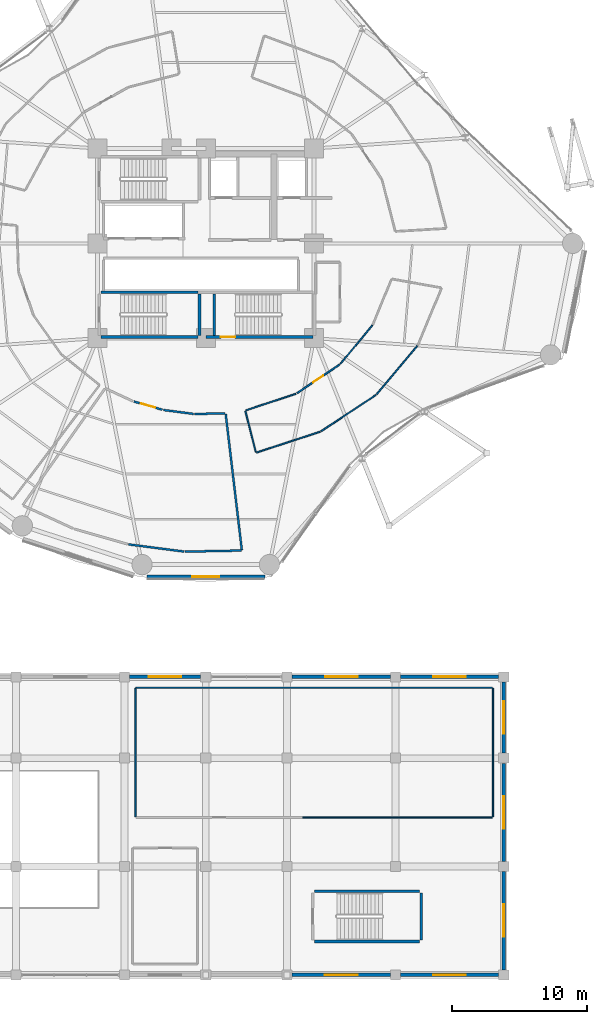
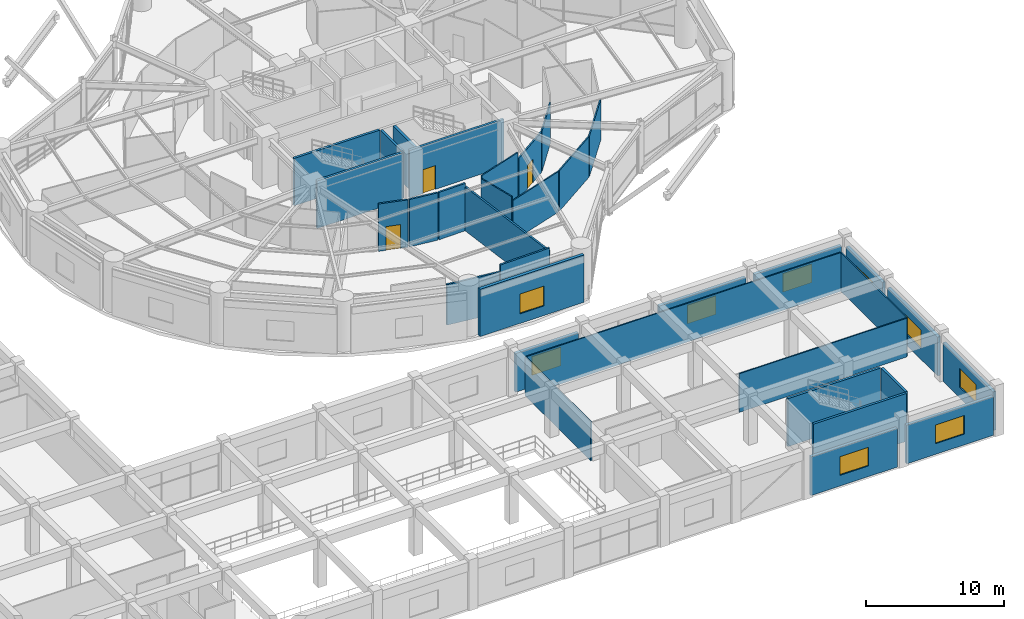
# One storey, part 44 of 55: 34 walls, 9 windows, 3 doors, 12 openings.
"""IFC4 building model written with IfcOpenShell, lengths in metres."""

from ifc_helpers import new_model, si_unit, direction, frame, frame_2d, origin, place, context, subcontext, project, spatial, rectangle, extrude, material, layer, layer_set, type_object, element, fill, save


model = new_model("IFC4")

# Units and contexts
model_context = context("Model", 3, precision=1e-05, world=origin(), true_north=direction((0.0, 1.0)))
body_context = subcontext(model_context, "Body", "Model", "MODEL_VIEW")
ifc_project = project(units=[si_unit("LENGTHUNIT", "METRE"), si_unit("AREAUNIT", "SQUARE_METRE"), si_unit("VOLUMEUNIT", "CUBIC_METRE"), si_unit("PLANEANGLEUNIT", "RADIAN"), si_unit("MASSUNIT", "GRAM", prefix="KILO")], contexts=[model_context])

# Site, building, storey
site_placement = place(None, origin())
site = spatial("IfcSite", under=ifc_project, at=site_placement, CompositionType="ELEMENT")
building_placement = place(site_placement, origin())
building = spatial("IfcBuilding", under=site, at=building_placement, Name="Kelanora Arch Commons", CompositionType="ELEMENT")
storey_placement = place(building_placement, frame((0.0, 0.0, 4.5)))
storey = spatial("IfcBuildingStorey", under=building, at=storey_placement, Name="L01", CompositionType="ELEMENT", Elevation=4.5)

# Wall, opening, door
ifc_material_1 = material(Name="Autoclaved aerated concrete blockwork with fire plaster", Category="masonry")
ifc_layer_1 = layer(ifc_material_1, 0.14990234375)
ifc_layer_set_1 = layer_set([ifc_layer_1], Name="Autoclaved aerated concrete blockwork with fire plaster")
wall_type_1 = type_object("IfcWallType", Name="W-COMP-150", PredefinedType="PARTITIONING", material=ifc_layer_set_1)
wall_1_placement = place(storey_placement, frame((68.692626953125, 46.324462890625, 0.0), z_axis=(0.0, 0.0, 1.0), x_axis=(0.960768545707, -0.277351404504, 0.0)))
wall_1 = element("IfcWall", 1, at=wall_1_placement, inside=storey, type_object=wall_type_1, Name="Tower Podium Linen and Housekeeping Store L01 Entry Partition", PredefinedType="PARTITIONING", context=body_context, shape_type="SweptSolid", body=[
    extrude(rectangle(XDim=2.181396484375, YDim=0.14990234375, at=frame_2d((1.0908203125, 0.0))), origin(), (0.0, 0.0, 1.0), 4.18994140625),
])
opening_1_placement = place(wall_1_placement, frame((0.551025390625, 0.0, 0.0)))
opening_1 = element("IfcOpeningElement", 2, at=opening_1_placement, cuts=wall_1, Name="Opening D-PLT1", PredefinedType="OPENING", context=body_context, shape_type="SweptSolid", body=[
    extrude(rectangle(XDim=1.080078125, YDim=2.10009765625, at=frame_2d((0.5400390625, 1.050048828125))), frame((0.0, 0.0849609375, 0.0), z_axis=(0.0, -1.0, 0.0), x_axis=(1.0, 0.0, 0.0)), (0.0, 0.0, 1.0), 0.169921875),
])
ifc_material_2 = material(Name="Galvanised steel plant and riser fire door", Category="steel")
door_type_1 = type_object("IfcDoorType", Name="D-PLT-110", OperationType="NOTDEFINED", PredefinedType="DOOR", material=ifc_material_2)
door_1_placement = place(opening_1_placement, origin())
door_1 = element("IfcDoor", 3, at=door_1_placement, inside=storey, type_object=door_type_1, Name="Tower Podium Linen and Housekeeping Store L01 Door", OperationType="SINGLE_SWING_RIGHT", OverallHeight=2.10009765625, OverallWidth=1.080078125, PredefinedType="DOOR", context=body_context, shape_type="SweptSolid", body=[
    extrude(rectangle(XDim=1.080078125, YDim=2.10009765625, at=frame_2d((0.5400390625, 1.050048828125))), frame((0.0, 0.02490234375, 0.0), z_axis=(0.0, -1.0, 0.0), x_axis=(1.0, 0.0, 0.0)), (0.0, 0.0, 1.0), 0.050048828125),
])
fill(opening_1, door_1)

# Walls
wall_2_placement = place(storey_placement, frame((70.8857421875, 45.69775390625, 0.0), z_axis=(0.0, 0.0, 1.0), x_axis=(0.99164598848, -0.128989276811, 0.0)))
element("IfcWall", 4, at=wall_2_placement, inside=storey, type_object=wall_type_1, Name="Tower Podium Linen and Housekeeping Store L01 Enclosure Partition 3", PredefinedType="PARTITIONING", context=body_context, shape_type="SweptSolid", body=[
    extrude(rectangle(XDim=2.2373046875, YDim=0.14990234375, at=frame_2d((1.11865234375, 0.0))), origin(), (0.0, 0.0, 1.0), 4.18994140625),
])
wall_3_placement = place(storey_placement, frame((73.18408203125, 45.40478515625, 0.0), z_axis=(0.0, 0.0, 1.0), x_axis=(0.999812026425, 0.019388445441, 0.0)))
element("IfcWall", 5, at=wall_3_placement, inside=storey, type_object=wall_type_1, Name="Tower Podium Linen and Housekeeping Store L01 Enclosure Partition 4", PredefinedType="PARTITIONING", context=body_context, shape_type="SweptSolid", body=[
    extrude(rectangle(XDim=2.241455078125, YDim=0.14990234375, at=frame_2d((1.12060546875, 0.0))), origin(), (0.0, 0.0, 1.0), 4.18994140625),
])
wall_4_placement = place(storey_placement, frame((75.4697265625, 45.4091796875, 0.0), z_axis=(0.0, 0.0, 1.0), x_axis=(0.117716479822, -0.993047244787, 0.0)))
element("IfcWall", 6, at=wall_4_placement, inside=storey, type_object=wall_type_1, Name="Tower Podium Linen and Housekeeping Store L01 Enclosure Partition 5", PredefinedType="PARTITIONING", context=body_context, shape_type="SweptSolid", body=[
    extrude(rectangle(XDim=10.11474609375, YDim=0.14990234375, at=frame_2d((5.057373046875, 0.0))), origin(), (0.0, 0.0, 1.0), 3.885009765625),
])
wall_5_placement = place(storey_placement, frame((76.625, 35.32421875, 0.0), z_axis=(0.0, 0.0, 1.0), x_axis=(-0.999812033518, -0.019388079631, 0.0)))
element("IfcWall", 7, at=wall_5_placement, inside=storey, type_object=wall_type_1, Name="Tower Podium Linen and Housekeeping Store L01 Enclosure Partition 6", PredefinedType="PARTITIONING", context=body_context, shape_type="SweptSolid", body=[
    extrude(rectangle(XDim=4.142822265625, YDim=0.14990234375, at=frame_2d((2.0712890625, 0.0))), origin(), (0.0, 0.0, 1.0), 4.18994140625),
])
wall_6_placement = place(storey_placement, frame((72.4033203125, 35.248046875, 0.0), z_axis=(0.0, 0.0, 1.0), x_axis=(-0.991723129769, 0.128394835881, 0.0)))
element("IfcWall", 8, at=wall_6_placement, inside=storey, type_object=wall_type_1, Name="Tower Podium Linen and Housekeeping Store L01 Enclosure Partition 7", PredefinedType="PARTITIONING", context=body_context, shape_type="SweptSolid", body=[
    extrude(rectangle(XDim=4.1337890625, YDim=0.14990234375, at=frame_2d((2.06689453125, 0.0))), origin(), (0.0, 0.0, 1.0), 3.5849609375),
])

# Wall, opening, window
ifc_material_3 = material(Name="Precast concrete C40/50 with terracotta ceramic cladding", Category="masonry")
ifc_layer_2 = layer(ifc_material_3, 0.25)
ifc_layer_set_2 = layer_set([ifc_layer_2], Name="Precast concrete C40/50 with terracotta ceramic cladding")
wall_type_2 = type_object("IfcWallType", Name="W-EXT-MKT", PredefinedType="SOLIDWALL", material=ifc_layer_set_2)
wall_7_placement = place(storey_placement, frame((80.3798828125, 4.0, 0.0), z_axis=(0.0, 0.0, 1.0), x_axis=(1.0, 0.0, 0.0)))
wall_7 = element("IfcWall", 9, at=wall_7_placement, inside=storey, type_object=wall_type_2, Name="Market Hall Exterior Wall L01-10", PredefinedType="SOLIDWALL", context=body_context, shape_type="SweptSolid", body=[
    extrude(rectangle(XDim=7.240234375, YDim=0.25, at=frame_2d((3.6201171875, 0.0))), origin(), (0.0, 0.0, 1.0), 3.419921875),
])
opening_2_placement = place(wall_7_placement, frame((2.419921875, 0.0, 0.949951171875)))
opening_2 = element("IfcOpeningElement", 10, at=opening_2_placement, cuts=wall_7, Name="Opening WN-03", PredefinedType="OPENING", context=body_context, shape_type="SweptSolid", body=[
    extrude(rectangle(XDim=2.39990234375, YDim=1.64990234375, at=frame_2d((1.199951171875, 0.824951171875))), frame((0.0, 0.135009765625, 0.0), z_axis=(0.0, -1.0, 0.0), x_axis=(1.0, 0.0, 0.0)), (0.0, 0.0, 1.0), 0.27001953125),
])
ifc_material_4 = material(Name="Bronze-terracotta aluminium monsoon clerestory window", Category="masonry")
window_type_1 = type_object("IfcWindowType", Name="WIN-MKT-24", PartitioningType="TRIPLE_PANEL_VERTICAL", PredefinedType="WINDOW", material=ifc_material_4)
window_1_placement = place(opening_2_placement, origin())
window_1 = element("IfcWindow", 11, at=window_1_placement, inside=storey, type_object=window_type_1, Name="Market Hall Clerestory Window L01-10", OverallHeight=1.64990234375, OverallWidth=2.39990234375, PartitioningType="SINGLE_PANEL", PredefinedType="WINDOW", context=body_context, shape_type="SweptSolid", body=[
    extrude(rectangle(XDim=2.39990234375, YDim=1.64990234375, at=frame_2d((1.199951171875, 0.824951171875))), frame((0.0, 0.030029296875, 0.0), z_axis=(0.0, -1.0, 0.0), x_axis=(1.0, 0.0, 0.0)), (0.0, 0.0, 1.0), 0.06005859375),
])
fill(opening_2, window_1)

wall_8_placement = place(storey_placement, frame((88.3798828125, 4.0, 0.0), z_axis=(0.0, 0.0, 1.0), x_axis=(1.0, 0.0, 0.0)))
wall_8 = element("IfcWall", 12, at=wall_8_placement, inside=storey, type_object=wall_type_2, Name="Market Hall Exterior Wall L01-11", PredefinedType="SOLIDWALL", context=body_context, shape_type="SweptSolid", body=[
    extrude(rectangle(XDim=7.240234375, YDim=0.25, at=frame_2d((3.6201171875, 0.0))), origin(), (0.0, 0.0, 1.0), 3.419921875),
])
opening_3_placement = place(wall_8_placement, frame((2.419921875, 0.0, 0.949951171875)))
opening_3 = element("IfcOpeningElement", 13, at=opening_3_placement, cuts=wall_8, Name="Opening WN-03", PredefinedType="OPENING", context=body_context, shape_type="SweptSolid", body=[
    extrude(rectangle(XDim=2.39990234375, YDim=1.64990234375, at=frame_2d((1.199951171875, 0.824951171875))), frame((0.0, 0.135009765625, 0.0), z_axis=(0.0, -1.0, 0.0), x_axis=(1.0, 0.0, 0.0)), (0.0, 0.0, 1.0), 0.27001953125),
])
window_2_placement = place(opening_3_placement, origin())
window_2 = element("IfcWindow", 14, at=window_2_placement, inside=storey, type_object=window_type_1, Name="Market Hall Clerestory Window L01-11", OverallHeight=1.64990234375, OverallWidth=2.39990234375, PartitioningType="SINGLE_PANEL", PredefinedType="WINDOW", context=body_context, shape_type="SweptSolid", body=[
    extrude(rectangle(XDim=2.39990234375, YDim=1.64990234375, at=frame_2d((1.199951171875, 0.824951171875))), frame((0.0, 0.030029296875, 0.0), z_axis=(0.0, -1.0, 0.0), x_axis=(1.0, 0.0, 0.0)), (0.0, 0.0, 1.0), 0.06005859375),
])
fill(opening_3, window_2)

wall_9_placement = place(storey_placement, frame((96.0, 4.3798828125, 0.0), z_axis=(0.0, 0.0, 1.0), x_axis=(0.0, 1.0, 0.0)))
wall_9 = element("IfcWall", 15, at=wall_9_placement, inside=storey, type_object=wall_type_2, Name="Market Hall Exterior Wall L01-12", PredefinedType="SOLIDWALL", context=body_context, shape_type="SweptSolid", body=[
    extrude(rectangle(XDim=7.240234375, YDim=0.25, at=frame_2d((3.6201171875, 0.0))), origin(), (0.0, 0.0, 1.0), 3.419921875),
])
opening_4_placement = place(wall_9_placement, frame((2.419921875, 0.0, 0.949951171875)))
opening_4 = element("IfcOpeningElement", 16, at=opening_4_placement, cuts=wall_9, Name="Opening WN-03", PredefinedType="OPENING", context=body_context, shape_type="SweptSolid", body=[
    extrude(rectangle(XDim=2.39990234375, YDim=1.64990234375, at=frame_2d((1.199951171875, 0.824951171875))), frame((0.0, 0.135009765625, 0.0), z_axis=(0.0, -1.0, 0.0), x_axis=(1.0, 0.0, 0.0)), (0.0, 0.0, 1.0), 0.27001953125),
])
window_3_placement = place(opening_4_placement, origin())
window_3 = element("IfcWindow", 17, at=window_3_placement, inside=storey, type_object=window_type_1, Name="Market Hall Clerestory Window L01-12", OverallHeight=1.64990234375, OverallWidth=2.39990234375, PartitioningType="SINGLE_PANEL", PredefinedType="WINDOW", context=body_context, shape_type="SweptSolid", body=[
    extrude(rectangle(XDim=2.39990234375, YDim=1.64990234375, at=frame_2d((1.199951171875, 0.824951171875))), frame((0.0, 0.030029296875, 0.0), z_axis=(0.0, -1.0, 0.0), x_axis=(1.0, 0.0, 0.0)), (0.0, 0.0, 1.0), 0.06005859375),
])
fill(opening_4, window_3)

wall_10_placement = place(storey_placement, frame((96.0, 12.3798828125, 0.0), z_axis=(0.0, 0.0, 1.0), x_axis=(0.0, 1.0, 0.0)))
wall_10 = element("IfcWall", 18, at=wall_10_placement, inside=storey, type_object=wall_type_2, Name="Market Hall Exterior Wall L01-13", PredefinedType="SOLIDWALL", context=body_context, shape_type="SweptSolid", body=[
    extrude(rectangle(XDim=7.240234375, YDim=0.25, at=frame_2d((3.6201171875, 0.0))), origin(), (0.0, 0.0, 1.0), 3.419921875),
])
opening_5_placement = place(wall_10_placement, frame((2.419921875, 0.0, 0.949951171875)))
opening_5 = element("IfcOpeningElement", 19, at=opening_5_placement, cuts=wall_10, Name="Opening WN-03", PredefinedType="OPENING", context=body_context, shape_type="SweptSolid", body=[
    extrude(rectangle(XDim=2.39990234375, YDim=1.64990234375, at=frame_2d((1.199951171875, 0.824951171875))), frame((0.0, 0.135009765625, 0.0), z_axis=(0.0, -1.0, 0.0), x_axis=(1.0, 0.0, 0.0)), (0.0, 0.0, 1.0), 0.27001953125),
])
window_4_placement = place(opening_5_placement, origin())
window_4 = element("IfcWindow", 20, at=window_4_placement, inside=storey, type_object=window_type_1, Name="Market Hall Clerestory Window L01-13", OverallHeight=1.64990234375, OverallWidth=2.39990234375, PartitioningType="SINGLE_PANEL", PredefinedType="WINDOW", context=body_context, shape_type="SweptSolid", body=[
    extrude(rectangle(XDim=2.39990234375, YDim=1.64990234375, at=frame_2d((1.199951171875, 0.824951171875))), frame((0.0, 0.030029296875, 0.0), z_axis=(0.0, -1.0, 0.0), x_axis=(1.0, 0.0, 0.0)), (0.0, 0.0, 1.0), 0.06005859375),
])
fill(opening_5, window_4)

wall_11_placement = place(storey_placement, frame((96.0, 20.3798828125, 0.0), z_axis=(0.0, 0.0, 1.0), x_axis=(0.0, 1.0, 0.0)))
wall_11 = element("IfcWall", 21, at=wall_11_placement, inside=storey, type_object=wall_type_2, Name="Market Hall Exterior Wall L01-14", PredefinedType="SOLIDWALL", context=body_context, shape_type="SweptSolid", body=[
    extrude(rectangle(XDim=5.240234375, YDim=0.25, at=frame_2d((2.6201171875, 0.0))), origin(), (0.0, 0.0, 1.0), 3.419921875),
])
opening_6_placement = place(wall_11_placement, frame((1.419921875, 0.0, 0.949951171875)))
opening_6 = element("IfcOpeningElement", 22, at=opening_6_placement, cuts=wall_11, Name="Opening WN-03", PredefinedType="OPENING", context=body_context, shape_type="SweptSolid", body=[
    extrude(rectangle(XDim=2.39990234375, YDim=1.64990234375, at=frame_2d((1.199951171875, 0.824951171875))), frame((0.0, 0.135009765625, 0.0), z_axis=(0.0, -1.0, 0.0), x_axis=(1.0, 0.0, 0.0)), (0.0, 0.0, 1.0), 0.27001953125),
])
window_5_placement = place(opening_6_placement, origin())
window_5 = element("IfcWindow", 23, at=window_5_placement, inside=storey, type_object=window_type_1, Name="Market Hall Clerestory Window L01-14", OverallHeight=1.64990234375, OverallWidth=2.39990234375, PartitioningType="SINGLE_PANEL", PredefinedType="WINDOW", context=body_context, shape_type="SweptSolid", body=[
    extrude(rectangle(XDim=2.39990234375, YDim=1.64990234375, at=frame_2d((1.199951171875, 0.824951171875))), frame((0.0, 0.030029296875, 0.0), z_axis=(0.0, -1.0, 0.0), x_axis=(1.0, 0.0, 0.0)), (0.0, 0.0, 1.0), 0.06005859375),
])
fill(opening_6, window_5)

wall_12_placement = place(storey_placement, frame((95.6201171875, 26.0, 0.0), z_axis=(0.0, 0.0, 1.0), x_axis=(-1.0, 0.0, 0.0)))
wall_12 = element("IfcWall", 24, at=wall_12_placement, inside=storey, type_object=wall_type_2, Name="Market Hall Exterior Wall L01-15", PredefinedType="SOLIDWALL", context=body_context, shape_type="SweptSolid", body=[
    extrude(rectangle(XDim=7.240234375, YDim=0.25, at=frame_2d((3.6201171875, 0.0))), origin(), (0.0, 0.0, 1.0), 3.419921875),
])
opening_7_placement = place(wall_12_placement, frame((2.419921875, 0.0, 0.949951171875)))
opening_7 = element("IfcOpeningElement", 25, at=opening_7_placement, cuts=wall_12, Name="Opening WN-03", PredefinedType="OPENING", context=body_context, shape_type="SweptSolid", body=[
    extrude(rectangle(XDim=2.39990234375, YDim=1.64990234375, at=frame_2d((1.199951171875, 0.824951171875))), frame((0.0, 0.135009765625, 0.0), z_axis=(0.0, -1.0, 0.0), x_axis=(1.0, 0.0, 0.0)), (0.0, 0.0, 1.0), 0.27001953125),
])
window_6_placement = place(opening_7_placement, origin())
window_6 = element("IfcWindow", 26, at=window_6_placement, inside=storey, type_object=window_type_1, Name="Market Hall Clerestory Window L01-15", OverallHeight=1.64990234375, OverallWidth=2.39990234375, PartitioningType="SINGLE_PANEL", PredefinedType="WINDOW", context=body_context, shape_type="SweptSolid", body=[
    extrude(rectangle(XDim=2.39990234375, YDim=1.64990234375, at=frame_2d((1.199951171875, 0.824951171875))), frame((0.0, 0.030029296875, 0.0), z_axis=(0.0, -1.0, 0.0), x_axis=(1.0, 0.0, 0.0)), (0.0, 0.0, 1.0), 0.06005859375),
])
fill(opening_7, window_6)

wall_13_placement = place(storey_placement, frame((87.6201171875, 26.0, 0.0), z_axis=(0.0, 0.0, 1.0), x_axis=(-1.0, 0.0, 0.0)))
wall_13 = element("IfcWall", 27, at=wall_13_placement, inside=storey, type_object=wall_type_2, Name="Market Hall Exterior Wall L01-16", PredefinedType="SOLIDWALL", context=body_context, shape_type="SweptSolid", body=[
    extrude(rectangle(XDim=7.240234375, YDim=0.25, at=frame_2d((3.6201171875, 0.0))), origin(), (0.0, 0.0, 1.0), 3.419921875),
])
opening_8_placement = place(wall_13_placement, frame((2.419921875, 0.0, 0.949951171875)))
opening_8 = element("IfcOpeningElement", 28, at=opening_8_placement, cuts=wall_13, Name="Opening WN-03", PredefinedType="OPENING", context=body_context, shape_type="SweptSolid", body=[
    extrude(rectangle(XDim=2.39990234375, YDim=1.64990234375, at=frame_2d((1.199951171875, 0.824951171875))), frame((0.0, 0.135009765625, 0.0), z_axis=(0.0, -1.0, 0.0), x_axis=(1.0, 0.0, 0.0)), (0.0, 0.0, 1.0), 0.27001953125),
])
window_7_placement = place(opening_8_placement, origin())
window_7 = element("IfcWindow", 29, at=window_7_placement, inside=storey, type_object=window_type_1, Name="Market Hall Clerestory Window L01-16", OverallHeight=1.64990234375, OverallWidth=2.39990234375, PartitioningType="SINGLE_PANEL", PredefinedType="WINDOW", context=body_context, shape_type="SweptSolid", body=[
    extrude(rectangle(XDim=2.39990234375, YDim=1.64990234375, at=frame_2d((1.199951171875, 0.824951171875))), frame((0.0, 0.030029296875, 0.0), z_axis=(0.0, -1.0, 0.0), x_axis=(1.0, 0.0, 0.0)), (0.0, 0.0, 1.0), 0.06005859375),
])
fill(opening_8, window_7)

wall_14_placement = place(storey_placement, frame((73.6201171875, 26.0, 0.0), z_axis=(0.0, 0.0, 1.0), x_axis=(-1.0, 0.0, 0.0)))
wall_14 = element("IfcWall", 30, at=wall_14_placement, inside=storey, type_object=wall_type_2, Name="Market Hall Exterior Wall L01-18", PredefinedType="SOLIDWALL", context=body_context, shape_type="SweptSolid", body=[
    extrude(rectangle(XDim=5.240234375, YDim=0.25, at=frame_2d((2.6201171875, 0.0))), origin(), (0.0, 0.0, 1.0), 3.419921875),
])
opening_9_placement = place(wall_14_placement, frame((1.419921875, 0.0, 0.949951171875)))
opening_9 = element("IfcOpeningElement", 31, at=opening_9_placement, cuts=wall_14, Name="Opening WN-03", PredefinedType="OPENING", context=body_context, shape_type="SweptSolid", body=[
    extrude(rectangle(XDim=2.39990234375, YDim=1.64990234375, at=frame_2d((1.199951171875, 0.824951171875))), frame((0.0, 0.135009765625, 0.0), z_axis=(0.0, -1.0, 0.0), x_axis=(1.0, 0.0, 0.0)), (0.0, 0.0, 1.0), 0.27001953125),
])
window_8_placement = place(opening_9_placement, origin())
window_8 = element("IfcWindow", 32, at=window_8_placement, inside=storey, type_object=window_type_1, Name="Market Hall Clerestory Window L01-18", OverallHeight=1.64990234375, OverallWidth=2.39990234375, PartitioningType="SINGLE_PANEL", PredefinedType="WINDOW", context=body_context, shape_type="SweptSolid", body=[
    extrude(rectangle(XDim=2.39990234375, YDim=1.64990234375, at=frame_2d((1.199951171875, 0.824951171875))), frame((0.0, 0.030029296875, 0.0), z_axis=(0.0, -1.0, 0.0), x_axis=(1.0, 0.0, 0.0)), (0.0, 0.0, 1.0), 0.06005859375),
])
fill(opening_9, window_8)

ifc_material_5 = material(Name="Precast concrete C40/50 with terracotta rainscreen", Category="masonry")
ifc_layer_3 = layer(ifc_material_5, 0.260009765625)
ifc_layer_set_3 = layer_set([ifc_layer_3], Name="Precast concrete C40/50 with terracotta rainscreen")
wall_type_3 = type_object("IfcWallType", Name="W-EXT-TC", PredefinedType="SOLIDWALL", material=ifc_layer_set_3)
wall_15_placement = place(storey_placement, frame((69.64404296875, 33.3798828125, 0.0), z_axis=(0.0, 0.0, 1.0), x_axis=(1.0, 0.0, 0.0)))
wall_15 = element("IfcWall", 33, at=wall_15_placement, inside=storey, type_object=wall_type_3, Name="Terracotta Exterior Wall L01-B13", PredefinedType="SOLIDWALL", context=body_context, shape_type="SweptSolid", body=[
    extrude(rectangle(XDim=8.7119140625, YDim=0.260009765625, at=frame_2d((4.35595703125, 0.0))), origin(), (0.0, 0.0, 1.0), 4.18505859375),
])
opening_10_placement = place(wall_15_placement, frame((3.35595703125, 0.0, 0.85009765625)))
opening_10 = element("IfcOpeningElement", 34, at=opening_10_placement, cuts=wall_15, Name="Opening WN-05", PredefinedType="OPENING", context=body_context, shape_type="SweptSolid", body=[
    extrude(rectangle(XDim=2.0, YDim=1.75, at=frame_2d((1.0, 0.875))), frame((0.0, 0.14013671875, 0.0), z_axis=(0.0, -1.0, 0.0), x_axis=(1.0, 0.0, 0.0)), (0.0, 0.0, 1.0), 0.280029296875),
])
ifc_material_6 = material(Name="Terracotta-anodised aluminium podium window", Category="masonry")
window_type_2 = type_object("IfcWindowType", Name="WIN-POD-20", PartitioningType="TRIPLE_PANEL_VERTICAL", PredefinedType="WINDOW", material=ifc_material_6)
window_9_placement = place(opening_10_placement, origin())
window_9 = element("IfcWindow", 35, at=window_9_placement, inside=storey, type_object=window_type_2, Name="Podium Window L01-B13", OverallHeight=1.75, OverallWidth=2.0, PartitioningType="SINGLE_PANEL", PredefinedType="WINDOW", context=body_context, shape_type="SweptSolid", body=[
    extrude(rectangle(XDim=2.0, YDim=1.75, at=frame_2d((1.0, 0.875))), frame((0.0, 0.030029296875, 0.0), z_axis=(0.0, -1.0, 0.0), x_axis=(1.0, 0.0, 0.0)), (0.0, 0.0, 1.0), 0.06005859375),
])
fill(opening_10, window_9)

# Walls
ifc_material_7 = material(Name="Lightweight fire-rated acoustic stud partition")
ifc_layer_4 = layer(ifc_material_7, 0.10009765625)
ifc_layer_set_4 = layer_set([ifc_layer_4], Name="Lightweight fire-rated acoustic stud partition")
wall_type_4 = type_object("IfcWallType", Name="W-PART-100", PredefinedType="PARTITIONING", material=ifc_layer_set_4)
wall_16_placement = place(storey_placement, frame((81.139892578125, 15.6201171875, 0.0), z_axis=(0.0, 0.0, 1.0), x_axis=(1.0, 0.0, 0.0)))
element("IfcWall", 36, at=wall_16_placement, inside=storey, type_object=wall_type_4, Name="East Craft Kiosks and Market Office Enclosure Partition 1", PredefinedType="PARTITIONING", context=body_context, shape_type="SweptSolid", body=[
    extrude(rectangle(XDim=14.02001953125, YDim=0.10009765625, at=frame_2d((7.010009765625, 0.0))), origin(), (0.0, 0.0, 1.0), 3.425048828125),
])
wall_17_placement = place(storey_placement, frame((95.199951171875, 15.659912109375, 0.0), z_axis=(0.0, 0.0, 1.0), x_axis=(0.0, 1.0, 0.0)))
element("IfcWall", 37, at=wall_17_placement, inside=storey, type_object=wall_type_4, Name="East Craft Kiosks and Market Office Enclosure Partition 2", PredefinedType="PARTITIONING", context=body_context, shape_type="SweptSolid", body=[
    extrude(rectangle(XDim=9.5, YDim=0.10009765625, at=frame_2d((4.75, 0.0))), origin(), (0.0, 0.0, 1.0), 3.425048828125),
])
wall_18_placement = place(storey_placement, frame((95.159912109375, 25.199951171875, 0.0), z_axis=(0.0, 0.0, 1.0), x_axis=(-1.0, 0.0, 0.0)))
element("IfcWall", 38, at=wall_18_placement, inside=storey, type_object=wall_type_4, Name="East Craft Kiosks and Market Office Enclosure Partition 3", PredefinedType="PARTITIONING", context=body_context, shape_type="SweptSolid", body=[
    extrude(rectangle(XDim=26.31982421875, YDim=0.10009765625, at=frame_2d((13.159912109375, 0.0))), origin(), (0.0, 0.0, 1.0), 3.425048828125),
])
wall_19_placement = place(storey_placement, frame((68.800048828125, 25.159912109375, 0.0), z_axis=(0.0, 0.0, 1.0), x_axis=(0.0, -1.0, 0.0)))
element("IfcWall", 39, at=wall_19_placement, inside=storey, type_object=wall_type_4, Name="East Craft Kiosks and Market Office Enclosure Partition 4", PredefinedType="PARTITIONING", context=body_context, shape_type="SweptSolid", body=[
    extrude(rectangle(XDim=9.5, YDim=0.10009765625, at=frame_2d((4.75, 0.0))), origin(), (0.0, 0.0, 1.0), 3.425048828125),
])
wall_20_placement = place(storey_placement, frame((76.952880859375, 45.668701171875, 0.0), z_axis=(0.0, 0.0, 1.0), x_axis=(0.949089658177, 0.31500606461, 0.0)))
element("IfcWall", 40, at=wall_20_placement, inside=storey, type_object=wall_type_4, Name="South-East Courtyard Reading Gallery L01-D Enclosure Partition 1", PredefinedType="PARTITIONING", context=body_context, shape_type="SweptSolid", body=[
    extrude(rectangle(XDim=3.897705078125, YDim=0.10009765625, at=frame_2d((1.94873046875, 0.0))), origin(), (0.0, 0.0, 1.0), 4.18994140625),
])
wall_21_placement = place(storey_placement, frame((83.939453125, 49.106689453125, 0.0), z_axis=(0.0, 0.0, 1.0), x_axis=(0.638393231466, 0.769710388405, 0.0)))
element("IfcWall", 41, at=wall_21_placement, inside=storey, type_object=wall_type_4, Name="South-East Courtyard Reading Gallery L01-D Enclosure Partition 3", PredefinedType="PARTITIONING", context=body_context, shape_type="SweptSolid", body=[
    extrude(rectangle(XDim=3.6904296875, YDim=0.10009765625, at=frame_2d((1.84521484375, 0.0))), origin(), (0.0, 0.0, 1.0), 3.5849609375),
])
wall_22_placement = place(storey_placement, frame((89.6171875, 50.430419921875, 0.0), z_axis=(0.0, 0.0, 1.0), x_axis=(-0.643707173648, -0.765271895861, 0.0)))
element("IfcWall", 42, at=wall_22_placement, inside=storey, type_object=wall_type_4, Name="South-East Courtyard Reading Gallery L01-D Enclosure Partition 7", PredefinedType="PARTITIONING", context=body_context, shape_type="SweptSolid", body=[
    extrude(rectangle(XDim=4.667236328125, YDim=0.10009765625, at=frame_2d((2.33349609375, 0.0))), origin(), (0.0, 0.0, 1.0), 3.5849609375),
])
wall_23_placement = place(storey_placement, frame((86.5537109375, 46.805908203125, 0.0), z_axis=(0.0, 0.0, 1.0), x_axis=(-0.833594148674, -0.552377402956, 0.0)))
element("IfcWall", 43, at=wall_23_placement, inside=storey, type_object=wall_type_4, Name="South-East Courtyard Reading Gallery L01-D Enclosure Partition 8", PredefinedType="PARTITIONING", context=body_context, shape_type="SweptSolid", body=[
    extrude(rectangle(XDim=4.831298828125, YDim=0.10009765625, at=frame_2d((2.41552734375, 0.0))), origin(), (0.0, 0.0, 1.0), 3.5849609375),
])
wall_24_placement = place(storey_placement, frame((82.455078125, 44.1025390625, 0.0), z_axis=(0.0, 0.0, 1.0), x_axis=(-0.950308776872, -0.311308895794, 0.0)))
element("IfcWall", 44, at=wall_24_placement, inside=storey, type_object=wall_type_4, Name="South-East Courtyard Reading Gallery L01-D Enclosure Partition 9", PredefinedType="PARTITIONING", context=body_context, shape_type="SweptSolid", body=[
    extrude(rectangle(XDim=4.962646484375, YDim=0.10009765625, at=frame_2d((2.4814453125, 0.0))), origin(), (0.0, 0.0, 1.0), 3.5849609375),
])
wall_25_placement = place(storey_placement, frame((77.691162109375, 42.583740234375, 0.0), z_axis=(0.0, 0.0, 1.0), x_axis=(-0.244940078033, 0.969538219037, 0.0)))
element("IfcWall", 45, at=wall_25_placement, inside=storey, type_object=wall_type_4, Name="South-East Courtyard Reading Gallery L01-D Enclosure Partition 10", PredefinedType="PARTITIONING", context=body_context, shape_type="SweptSolid", body=[
    extrude(rectangle(XDim=3.128662109375, YDim=0.10009765625, at=frame_2d((1.564453125, 0.0))), origin(), (0.0, 0.0, 1.0), 3.945068359375),
])

# Wall, opening, door
ifc_material_8 = material(Name="Acoustic twin-stud fire-rated gypsum partition")
ifc_layer_5 = layer(ifc_material_8, 0.1201171875)
ifc_layer_set_5 = layer_set([ifc_layer_5], Name="Acoustic twin-stud fire-rated gypsum partition")
wall_type_5 = type_object("IfcWallType", Name="W-PART-120", PredefinedType="PARTITIONING", material=ifc_layer_set_5)
wall_26_placement = place(storey_placement, frame((80.73974609375, 46.9423828125, 0.0), z_axis=(0.0, 0.0, 1.0), x_axis=(0.829949208051, 0.557838966061, 0.0)))
wall_26 = element("IfcWall", 46, at=wall_26_placement, inside=storey, type_object=wall_type_5, Name="South-East Courtyard Reading Gallery L01-D Entry Partition", PredefinedType="PARTITIONING", context=body_context, shape_type="SweptSolid", body=[
    extrude(rectangle(XDim=3.7646484375, YDim=0.1201171875, at=frame_2d((1.88232421875, 0.0))), origin(), (0.0, 0.0, 1.0), 3.5849609375),
])
opening_11_placement = place(wall_26_placement, frame((1.431884765625, 0.0, 0.0)))
opening_11 = element("IfcOpeningElement", 47, at=opening_11_placement, cuts=wall_26, Name="Opening D-RM1", PredefinedType="OPENING", context=body_context, shape_type="SweptSolid", body=[
    extrude(rectangle(XDim=0.89990234375, YDim=2.080078125, at=frame_2d((0.449951171875, 1.0400390625))), frame((0.0, 0.070068359375, 0.0), z_axis=(0.0, -1.0, 0.0), x_axis=(1.0, 0.0, 0.0)), (0.0, 0.0, 1.0), 0.14013671875),
])
ifc_material_9 = material(Name="Acoustic fire-rated timber study and lounge door", Category="wood")
door_type_2 = type_object("IfcDoorType", Name="D-ROOM-90", OperationType="NOTDEFINED", PredefinedType="DOOR", material=ifc_material_9)
door_2_placement = place(opening_11_placement, origin())
door_2 = element("IfcDoor", 48, at=door_2_placement, inside=storey, type_object=door_type_2, Name="South-East Courtyard Reading Gallery L01-D Door", OperationType="SINGLE_SWING_LEFT", OverallHeight=2.080078125, OverallWidth=0.89990234375, PredefinedType="DOOR", context=body_context, shape_type="SweptSolid", body=[
    extrude(rectangle(XDim=0.89990234375, YDim=2.080078125, at=frame_2d((0.449951171875, 1.0400390625))), frame((0.0, 0.02490234375, 0.0), z_axis=(0.0, -1.0, 0.0), x_axis=(1.0, 0.0, 0.0)), (0.0, 0.0, 1.0), 0.050048828125),
])
fill(opening_11, door_2)

ifc_material_10 = material(Name="Concrete C40/50", Category="concrete")
ifc_layer_6 = layer(ifc_material_10, 0.199951171875)
ifc_layer_set_6 = layer_set([ifc_layer_6], Name="Concrete C40/50")
wall_type_6 = type_object("IfcWallType", Name="W-STAIR-200", PredefinedType="SHEAR", material=ifc_layer_set_6)
wall_27_placement = place(storey_placement, frame((74.0, 51.080078125, 0.0), z_axis=(0.0, 0.0, 1.0), x_axis=(1.0, 0.0, 0.0)))
wall_27 = element("IfcWall", 49, at=wall_27_placement, inside=storey, type_object=wall_type_6, Name="Stair ST-T2 Shaft Wall S L01", PredefinedType="SHEAR", context=body_context, shape_type="SweptSolid", body=[
    extrude(rectangle(XDim=7.89990234375, YDim=0.199951171875, at=frame_2d((3.949951171875, 0.0))), origin(), (0.0, 0.0, 1.0), 4.199951171875),
])
opening_12_placement = place(wall_27_placement, frame((1.1201171875, 0.0, 0.0)))
opening_12 = element("IfcOpeningElement", 50, at=opening_12_placement, cuts=wall_27, Name="Opening D-ST1", PredefinedType="OPENING", context=body_context, shape_type="SweptSolid", body=[
    extrude(rectangle(XDim=1.050048828125, YDim=2.10009765625, at=frame_2d((0.52490234375, 1.050048828125))), frame((0.0, 0.10986328125, 0.0), z_axis=(0.0, -1.0, 0.0), x_axis=(1.0, 0.0, 0.0)), (0.0, 0.0, 1.0), 0.219970703125),
])
ifc_material_11 = material(Name="Steel fire-rated stairwell escape door", Category="steel")
door_type_3 = type_object("IfcDoorType", Name="D-STAIR-110", OperationType="NOTDEFINED", PredefinedType="DOOR", material=ifc_material_11)
door_3_placement = place(opening_12_placement, origin())
door_3 = element("IfcDoor", 51, at=door_3_placement, inside=storey, type_object=door_type_3, Name="Stair ST-T2 Escape Door L01", OperationType="SINGLE_SWING_LEFT", OverallHeight=2.10009765625, OverallWidth=1.050048828125, PredefinedType="DOOR", context=body_context, shape_type="SweptSolid", body=[
    extrude(rectangle(XDim=1.050048828125, YDim=2.10009765625, at=frame_2d((0.52490234375, 1.050048828125))), frame((0.0, 0.02490234375, 0.0), z_axis=(0.0, -1.0, 0.0), x_axis=(1.0, 0.0, 0.0)), (0.0, 0.0, 1.0), 0.050048828125),
])
fill(opening_12, door_3)

# Walls
wall_28_placement = place(storey_placement, frame((74.6201171875, 54.27001953125, 0.0), z_axis=(0.0, 0.0, 1.0), x_axis=(0.0, -1.0, 0.0)))
element("IfcWall", 52, at=wall_28_placement, inside=storey, type_object=wall_type_6, Name="Stair ST-T2 Shaft Wall W L01", PredefinedType="SHEAR", context=body_context, shape_type="SweptSolid", body=[
    extrude(rectangle(XDim=3.070068359375, YDim=0.199951171875, at=frame_2d((1.53515625, 0.0))), origin(), (0.0, 0.0, 1.0), 4.199951171875),
])
wall_29_placement = place(storey_placement, frame((66.260009765625, 51.080078125, 0.0), z_axis=(0.0, 0.0, 1.0), x_axis=(1.0, 0.0, 0.0)))
element("IfcWall", 53, at=wall_29_placement, inside=storey, type_object=wall_type_6, Name="Stair ST-T3 Shaft Wall S L01", PredefinedType="SHEAR", context=body_context, shape_type="SweptSolid", body=[
    extrude(rectangle(XDim=7.159912109375, YDim=0.199951171875, at=frame_2d((3.580078125, 0.0))), origin(), (0.0, 0.0, 1.0), 4.199951171875),
])
wall_30_placement = place(storey_placement, frame((73.5400390625, 51.199951171875, 0.0), z_axis=(0.0, 0.0, 1.0), x_axis=(0.0, 1.0, 0.0)))
element("IfcWall", 54, at=wall_30_placement, inside=storey, type_object=wall_type_6, Name="Stair ST-T3 Shaft Wall E L01", PredefinedType="SHEAR", context=body_context, shape_type="SweptSolid", body=[
    extrude(rectangle(XDim=3.070068359375, YDim=0.199951171875, at=frame_2d((1.53515625, 0.0))), origin(), (0.0, 0.0, 1.0), 4.199951171875),
])
wall_31_placement = place(storey_placement, frame((73.419921875, 54.389892578125, 0.0), z_axis=(0.0, 0.0, 1.0), x_axis=(-1.0, 0.0, 0.0)))
element("IfcWall", 55, at=wall_31_placement, inside=storey, type_object=wall_type_6, Name="Stair ST-T3 Shaft Wall N L01", PredefinedType="SHEAR", context=body_context, shape_type="SweptSolid", body=[
    extrude(rectangle(XDim=7.159912109375, YDim=0.199951171875, at=frame_2d((3.580078125, 0.0))), origin(), (0.0, 0.0, 1.0), 4.199951171875),
])
wall_32_placement = place(storey_placement, frame((82.02001953125, 6.4599609375, 0.0), z_axis=(0.0, 0.0, 1.0), x_axis=(1.0, 0.0, 0.0)))
element("IfcWall", 56, at=wall_32_placement, inside=storey, type_object=wall_type_6, Name="Stair ST-M2 Shaft Wall S L01", PredefinedType="SHEAR", context=body_context, shape_type="SweptSolid", body=[
    extrude(rectangle(XDim=7.760009765625, YDim=0.199951171875, at=frame_2d((3.8798828125, 0.0))), origin(), (0.0, 0.0, 1.0), 4.239990234375),
])
wall_33_placement = place(storey_placement, frame((89.89990234375, 6.580078125, 0.0), z_axis=(0.0, 0.0, 1.0), x_axis=(0.0, 1.0, 0.0)))
element("IfcWall", 57, at=wall_33_placement, inside=storey, type_object=wall_type_6, Name="Stair ST-M2 Shaft Wall E L01", PredefinedType="SHEAR", context=body_context, shape_type="SweptSolid", body=[
    extrude(rectangle(XDim=3.469970703125, YDim=0.199951171875, at=frame_2d((1.73486328125, 0.0))), origin(), (0.0, 0.0, 1.0), 4.239990234375),
])
wall_34_placement = place(storey_placement, frame((89.780029296875, 10.169921875, 0.0), z_axis=(0.0, 0.0, 1.0), x_axis=(-1.0, 0.0, 0.0)))
element("IfcWall", 58, at=wall_34_placement, inside=storey, type_object=wall_type_6, Name="Stair ST-M2 Shaft Wall N L01", PredefinedType="SHEAR", context=body_context, shape_type="SweptSolid", body=[
    extrude(rectangle(XDim=7.760009765625, YDim=0.199951171875, at=frame_2d((3.8798828125, 0.0))), origin(), (0.0, 0.0, 1.0), 4.239990234375),
])

save(model, "model.ifc")
